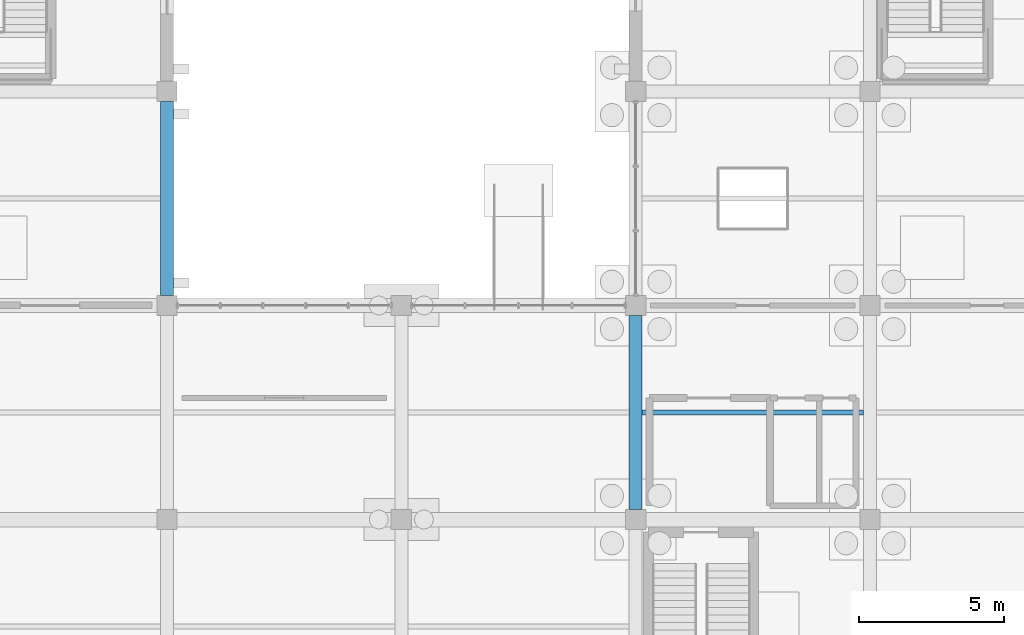
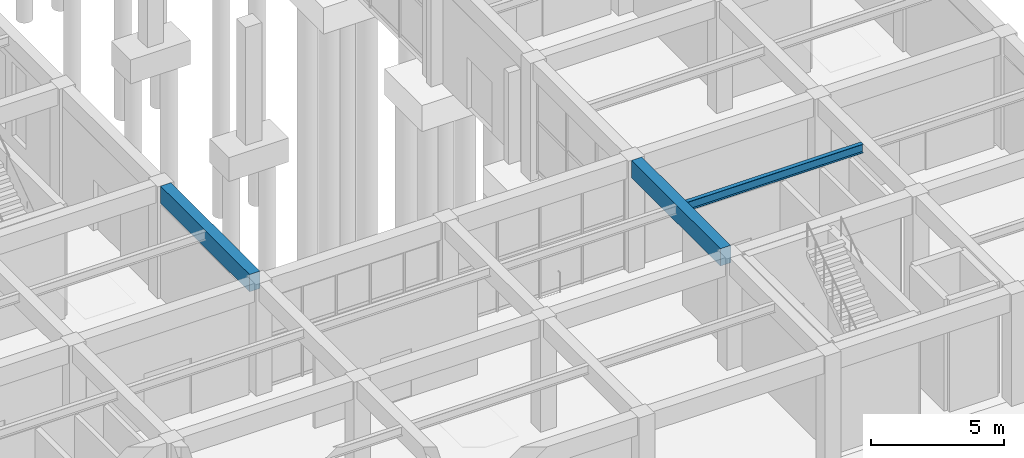
# One storey, part 93 of 140: 3 beams.
"""IFC4 building model written with IfcOpenShell, lengths in metres."""

from ifc_helpers import new_model, si_unit, direction, frame, origin, origin_2d, place, context, subcontext, project, spatial, rectangle, i_section, extrude, material, material_profile, profile_set, type_object, element, save


model = new_model("IFC4")

# Units and contexts
model_context = context("Model", 3, precision=1e-05, world=origin(), true_north=direction((0.0, 1.0)))
body_context = subcontext(model_context, "Body", "Model", "MODEL_VIEW")
ifc_project = project(units=[si_unit("LENGTHUNIT", "METRE"), si_unit("AREAUNIT", "SQUARE_METRE"), si_unit("VOLUMEUNIT", "CUBIC_METRE"), si_unit("PLANEANGLEUNIT", "RADIAN"), si_unit("MASSUNIT", "GRAM", prefix="KILO")], contexts=[model_context])

# Site, building, storey
site_placement = place(None, origin())
site = spatial("IfcSite", under=ifc_project, at=site_placement, CompositionType="ELEMENT")
building_placement = place(site_placement, origin())
building = spatial("IfcBuilding", under=site, at=building_placement, Name="Cimatlan Art Gallery", CompositionType="ELEMENT")
storey_placement = place(building_placement, origin())
storey = spatial("IfcBuildingStorey", under=building, at=storey_placement, Name="L00", CompositionType="ELEMENT", Elevation=0.0)

# Beams
ifc_material_1 = material(Name="Concrete C40/50", Category="concrete")
ifc_material_profile_1 = material_profile(ifc_material_1, rectangle(XDim=0.449951171875, YDim=0.800048828125, at=origin_2d()), Name="RC450X800")
ifc_profile_set_1 = profile_set([ifc_material_profile_1], Name="Concrete C40/50")
beam_type_1 = type_object("IfcBeamType", Name="BM-RC-450X800", PredefinedType="BEAM", material=ifc_profile_set_1)
beam_1_placement = place(storey_placement, frame((131.60009765625, 39.050048828125, 4.735107421875), z_axis=(0.0, 1.0, 0.0), x_axis=(-1.0, 0.0, 0.0)))
element("IfcBeam", 1, at=beam_1_placement, inside=storey, type_object=beam_type_1, Name="BM-Y-L00-16-05", PredefinedType="BEAM", context=body_context, shape_type="SweptSolid", body=[
    extrude(rectangle(XDim=0.449951171875, YDim=0.800048828125, at=origin_2d()), origin(), (0.0, 0.0, 1.0), 6.699951171875),
])
beam_2_placement = place(storey_placement, frame((147.800048828125, 31.64990234375, 4.735107421875), z_axis=(0.0, 1.0, 0.0), x_axis=(-1.0, 0.0, 0.0)))
element("IfcBeam", 2, at=beam_2_placement, inside=storey, type_object=beam_type_1, Name="BM-Y-L00-18-04", PredefinedType="BEAM", context=body_context, shape_type="SweptSolid", body=[
    extrude(rectangle(XDim=0.449951171875, YDim=0.800048828125, at=origin_2d()), origin(), (0.0, 0.0, 1.0), 6.7001953125),
])
ifc_material_2 = material(Name="Steel ASTM A992 Grade 50", Category="steel")
ifc_material_profile_2 = material_profile(ifc_material_2, i_section(OverallWidth=0.177978515625, OverallDepth=0.406982421875, WebThickness=0.0078125, FlangeThickness=0.0126953125, at=origin_2d()), Name="W16X40")
ifc_profile_set_2 = profile_set([ifc_material_profile_2], Name="Steel ASTM A992 Grade 50")
beam_type_2 = type_object("IfcBeamType", Name="BM-STL-W16X40", PredefinedType="JOIST", material=ifc_profile_set_2)
beam_3_placement = place(storey_placement, frame((148.02490234375, 35.0, 4.931396484375), z_axis=(1.0, 0.0, 0.0), x_axis=(0.0, 1.0, 0.0)))
element("IfcBeam", 3, at=beam_3_placement, inside=storey, type_object=beam_type_2, Name="JST-L00-18-04", PredefinedType="JOIST", context=body_context, shape_type="SweptSolid", body=[
    extrude(i_section(OverallWidth=0.177978515625, OverallDepth=0.406982421875, WebThickness=0.0078125, FlangeThickness=0.0126953125, at=origin_2d()), origin(), (0.0, 0.0, 1.0), 7.650146484375),
])

save(model, "model.ifc")
